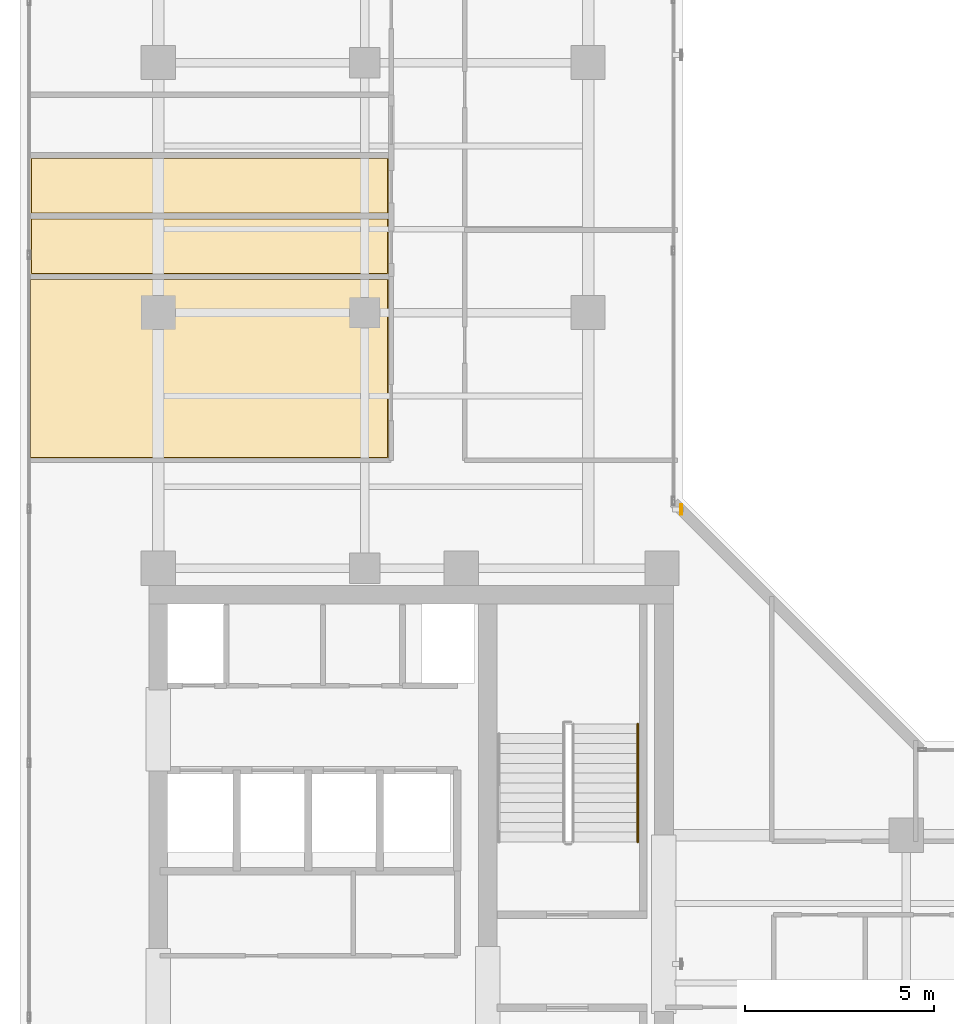
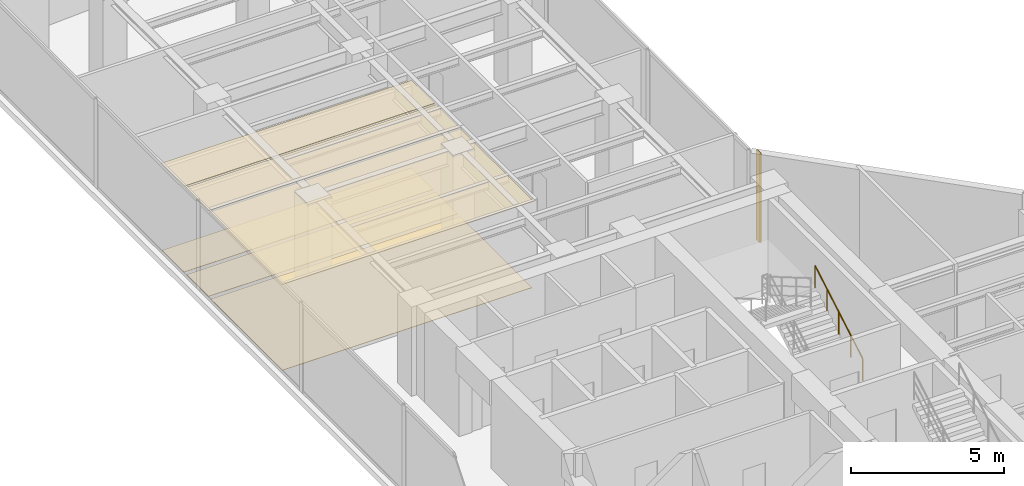
# One storey, part 22 of 24: 6 coverings, 1 railing, 1 shading device.
"""IFC4 building model written with IfcOpenShell, lengths in metres."""

import ifcopenshell
import ifcopenshell.guid

model = None  # the IFC model being written
_history = None  # IfcOwnerHistory: only IFC2X3 demands one
_inside = {}  # id of a spatial element -> (the spatial element, [elements in it])
_under = {}  # id of a project, library or spatial element -> (it, [spatial elements below it])
_declared = {}  # id of a project -> (the project, [libraries it declares])
_typed = {}  # id of a type object -> (the type object, [elements of that type])
_made_of = {}  # id of a material, layer set ... -> (it, [elements and type objects made of it])


def new_model(schema):
    """Start an empty IFC model of exactly this schema.

    Asked for "IFC4X3", IfcOpenShell would pick the latest addendum, in which some entities
    have other attributes; the version numbers below select the first issue.
    IFC2X3 requires an IfcOwnerHistory on every rooted entity: one is made here for all.
    """
    global model, _history
    if schema == "IFC4X3":
        model = ifcopenshell.file(schema_version=(4, 3, 0, 0))
    else:
        model = ifcopenshell.file(schema=schema)
    _inside.clear()
    _under.clear()
    _declared.clear()
    _typed.clear()
    _made_of.clear()
    _history = None
    if model.schema == "IFC2X3":
        org = make("IfcOrganization", Name="unknown")
        user = make(
            "IfcPersonAndOrganization",
            ThePerson=make("IfcPerson", FamilyName="unknown"),
            TheOrganization=org,
        )
        app = make(
            "IfcApplication",
            ApplicationDeveloper=org,
            Version="unknown",
            ApplicationFullName="unknown",
            ApplicationIdentifier="unknown",
        )
        _history = make(
            "IfcOwnerHistory",
            OwningUser=user,
            OwningApplication=app,
            ChangeAction="ADDED",
            CreationDate=0,
        )
    return model


def make(cls, **values):
    """One entity of the class cls with the attributes given. An attribute that is None is left unset."""
    return model.create_entity(
        cls, **{name: value for name, value in values.items() if value is not None}
    )


def rooted(cls, **values):
    """An entity with a GlobalId (a new one), such as an element, a storey or a relation."""
    return make(cls, GlobalId=ifcopenshell.guid.new(), OwnerHistory=_history, **values)


def si_unit(unit_type, name, prefix=None):
    """IfcSIUnit, for example si_unit("LENGTHUNIT", "METRE", prefix="MILLI")."""
    return make("IfcSIUnit", UnitType=unit_type, Prefix=prefix, Name=name)


def assignment(units):
    """IfcUnitAssignment: the units of a project."""
    return None if units is None else make("IfcUnitAssignment", Units=units)


def point(xyz):
    """IfcCartesianPoint."""
    return None if xyz is None else make("IfcCartesianPoint", Coordinates=xyz)


def direction(xyz):
    """IfcDirection."""
    return None if xyz is None else make("IfcDirection", DirectionRatios=xyz)


def frame(location, z_axis=None, x_axis=None):
    """IfcAxis2Placement3D, a coordinate frame: its origin and axes. An axis left out is left unset."""
    return make(
        "IfcAxis2Placement3D",
        Location=point(location),
        Axis=direction(z_axis),
        RefDirection=direction(x_axis),
    )


def frame_2d(location, x_axis=None):
    """IfcAxis2Placement2D, a coordinate frame in the plane: its origin and x axis."""
    return make(
        "IfcAxis2Placement2D", Location=point(location), RefDirection=direction(x_axis)
    )


def origin():
    """The frame at (0, 0, 0) with its axes left unset."""
    return frame((0.0, 0.0, 0.0))


def origin_2d():
    """The frame at (0, 0) in the plane with its x axis left unset."""
    return frame_2d((0.0, 0.0))


def place(relative_to, where):
    """IfcLocalPlacement: puts the frame where relative to a parent placement (None: the world)."""
    return make(
        "IfcLocalPlacement", PlacementRelTo=relative_to, RelativePlacement=where
    )


def context(
    kind, dimensions, precision=None, world=None, true_north=None, identifier=None
):
    """IfcGeometricRepresentationContext, for example the 3D "Model" context."""
    return make(
        "IfcGeometricRepresentationContext",
        ContextIdentifier=identifier,
        ContextType=kind,
        CoordinateSpaceDimension=dimensions,
        Precision=precision,
        WorldCoordinateSystem=world,
        TrueNorth=true_north,
    )


def subcontext(parent, identifier, kind, view, scale=None):
    """IfcGeometricRepresentationSubContext, for example "Body" below "Model"."""
    return make(
        "IfcGeometricRepresentationSubContext",
        ContextIdentifier=identifier,
        ContextType=kind,
        ParentContext=parent,
        TargetScale=scale,
        TargetView=view,
    )


def project(units=None, contexts=None):
    """IfcProject with its units and contexts."""
    return rooted(
        "IfcProject",
        Name="project",
        RepresentationContexts=contexts,
        UnitsInContext=assignment(units),
    )


def spatial(cls, under=None, at=None, **own):
    """A site, building, storey or space (cls), placed at a placement, below another one or the project."""
    s = rooted(cls, ObjectPlacement=at, **own)
    if under is not None:
        _under.setdefault(under.id(), (under, []))[1].append(s)
    return s


def polyline(points):
    """IfcPolyline through the points."""
    return make("IfcPolyline", Points=[point(p) for p in points])


def profile(cls, at=None, kind="AREA", **sizes):
    """A parametric profile (cls). Its sizes go by their IFC names, for example OverallWidth=200.0."""
    return make(cls, ProfileType=kind, Position=at, **sizes)


def hollow_rectangle(**sizes):
    """IfcRectangleHollowProfileDef."""
    return profile("IfcRectangleHollowProfileDef", **sizes)


def circle(**sizes):
    """IfcCircleProfileDef."""
    return profile("IfcCircleProfileDef", **sizes)


def outline(outer, holes=None, kind="AREA"):
    """IfcArbitraryClosedProfileDef: a profile drawn as a closed curve; with holes, ...WithVoids."""
    if holes is None:
        return make("IfcArbitraryClosedProfileDef", ProfileType=kind, OuterCurve=outer)
    return make(
        "IfcArbitraryProfileDefWithVoids",
        ProfileType=kind,
        OuterCurve=outer,
        InnerCurves=holes,
    )


def extrude(swept, where, along, depth):
    """IfcExtrudedAreaSolid: the profile swept, set in the frame where, extruded along a direction by depth."""
    return make(
        "IfcExtrudedAreaSolid",
        SweptArea=swept,
        Position=where,
        ExtrudedDirection=direction(along),
        Depth=depth,
    )


def shape(context_of_items, identifier, shape_type, items):
    """IfcShapeRepresentation: the items that make up one representation, for example the "Body"."""
    return make(
        "IfcShapeRepresentation",
        ContextOfItems=context_of_items,
        RepresentationIdentifier=identifier,
        RepresentationType=shape_type,
        Items=items,
    )


def material(Name=None, Category=None):
    """IfcMaterial."""
    return make("IfcMaterial", Name=Name, Category=Category)


def layer(
    of_material, thickness, ventilated=None, Name=None, Category=None, Priority=None
):
    """IfcMaterialLayer: one layer of a wall or slab, of a material (None: an air gap)."""
    return make(
        "IfcMaterialLayer",
        Material=of_material,
        LayerThickness=thickness,
        IsVentilated=ventilated,
        Name=Name,
        Category=Category,
        Priority=Priority,
    )


def layer_set(layers, Name=None):
    """IfcMaterialLayerSet."""
    return make("IfcMaterialLayerSet", MaterialLayers=layers, LayerSetName=Name)


def material_profile(
    of_material, cross_section, Name=None, Category=None, Priority=None
):
    """IfcMaterialProfile: a cross section and its material."""
    return make(
        "IfcMaterialProfile",
        Name=Name,
        Material=of_material,
        Profile=cross_section,
        Priority=Priority,
        Category=Category,
    )


def profile_set(profiles, Name=None, composite=None):
    """IfcMaterialProfileSet."""
    return make(
        "IfcMaterialProfileSet",
        Name=Name,
        MaterialProfiles=profiles,
        CompositeProfile=composite,
    )


def made_of(thing, what):
    """Note that an element or type object is made of a material, layer set ...; save() writes the relation."""
    if what is not None:
        _made_of.setdefault(what.id(), (what, []))[1].append(thing)
    return thing


def type_object(cls, material=None, **own):
    """A type object (cls), such as IfcWallType, which elements share."""
    return made_of(rooted(cls, **own), material)


def element(
    cls,
    number,
    at=None,
    inside=None,
    cuts=None,
    type_object=None,
    material=None,
    context=None,
    identifier="Body",
    shape_type=None,
    held_by="IfcProductDefinitionShape",
    body=None,
    shapes=None,
    **own,
):
    """One element of the class cls, such as IfcWall. Its Tag is "e" and its number.

    at: its placement. inside: the storey or other place that contains it. cuts: it is an
    opening in that element (IfcRelVoidsElement). A single representation is given by context,
    identifier, shape_type and body (its items); several are given by shapes. held_by: the class
    of the entity that holds the representations. save() writes the other relations.
    """
    e = rooted(cls, Tag="e%d" % number, ObjectPlacement=at, **own)
    if body is not None:
        shapes = [shape(context, identifier, shape_type, body)]
    if shapes is not None:
        e.Representation = make(held_by, Representations=shapes)
    if inside is not None:
        _inside.setdefault(inside.id(), (inside, []))[1].append(e)
    if cuts is not None:
        rooted(
            "IfcRelVoidsElement", RelatingBuildingElement=cuts, RelatedOpeningElement=e
        )
    if type_object is not None:
        _typed.setdefault(type_object.id(), (type_object, []))[1].append(e)
    return made_of(e, material)


def aggregate(whole, parts):
    """IfcRelAggregates: a whole, such as a stair, and the parts it consists of."""
    return rooted("IfcRelAggregates", RelatingObject=whole, RelatedObjects=parts)


def save(model, path):
    """Write the relations noted so far, then the file.

    IfcRelAggregates (storeys below a building ...), IfcRelContainedInSpatialStructure (elements
    in a storey), IfcRelDefinesByType, IfcRelAssociatesMaterial and IfcRelDeclares: one each for
    every whole, place, type object, material and project.
    """
    for whole, parts in _under.values():
        aggregate(whole, parts)
    for where, things in _inside.values():
        rooted(
            "IfcRelContainedInSpatialStructure",
            RelatedElements=things,
            RelatingStructure=where,
        )
    for kind, things in _typed.values():
        rooted("IfcRelDefinesByType", RelatedObjects=things, RelatingType=kind)
    for what, things in _made_of.values():
        rooted("IfcRelAssociatesMaterial", RelatedObjects=things, RelatingMaterial=what)
    for by, libraries in _declared.values():
        rooted("IfcRelDeclares", RelatingContext=by, RelatedDefinitions=libraries)
    model.write(path)


model = new_model("IFC4")

# Units and contexts
model_context = context("Model", 3, precision=1e-05, world=origin(), true_north=direction((0.0, 1.0)))
body_context = subcontext(model_context, "Body", "Model", "MODEL_VIEW")
ifc_project = project(units=[si_unit("LENGTHUNIT", "METRE"), si_unit("AREAUNIT", "SQUARE_METRE"), si_unit("VOLUMEUNIT", "CUBIC_METRE"), si_unit("PLANEANGLEUNIT", "RADIAN"), si_unit("MASSUNIT", "GRAM", prefix="KILO")], contexts=[model_context])

# Site, building, storey
site_placement = place(None, origin())
site = spatial("IfcSite", under=ifc_project, at=site_placement, CompositionType="ELEMENT")
building_placement = place(site_placement, origin())
building = spatial("IfcBuilding", under=site, at=building_placement, Name="Kolvaren Waterfront Exchange", CompositionType="ELEMENT")
storey_placement = place(building_placement, frame((0.0, 0.0, 300.800048828125)))
storey = spatial("IfcBuildingStorey", under=building, at=storey_placement, Name="L77", CompositionType="ELEMENT", Elevation=300.800048828125)

# Coverings
ifc_material_1 = material(Name="Mineral fibre acoustic ceiling tile")
ifc_layer_1 = layer(ifc_material_1, 0.02490234375, Name="Mineral fibre acoustic ceiling tile")
ifc_layer_set_1 = layer_set([ifc_layer_1], Name="Mineral fibre acoustic ceiling tile")
covering_type_1 = type_object("IfcCoveringType", Name="ARC-CEIL-ACOUSTIC-25", PredefinedType="CEILING", material=ifc_layer_set_1)
covering_1_placement = place(storey_placement, frame((0.0, 0.0, 3.445068359375)))
element("IfcCovering", 1, at=covering_1_placement, inside=storey, type_object=covering_type_1, Name="L77 acoustic suspended ceiling 1", PredefinedType="CEILING", context=body_context, shape_type="SweptSolid", body=[
    extrude(outline(polyline([(13.534912109375, 27.344970703125), (13.534912109375, 32.10498046875), (4.044921875, 32.10498046875), (4.044921875, 27.344970703125), (13.534912109375, 27.344970703125)])), origin(), (0.0, 0.0, 1.0), 0.02490234375),
])
covering_2_placement = place(storey_placement, frame((0.0, 0.0, 3.445068359375)))
element("IfcCovering", 2, at=covering_2_placement, inside=storey, type_object=covering_type_1, Name="L77 acoustic suspended ceiling 2", PredefinedType="CEILING", context=body_context, shape_type="SweptSolid", body=[
    extrude(outline(polyline([(13.534912109375, 32.195068359375), (13.534912109375, 33.705078125), (4.06494140625, 33.705078125), (4.06494140625, 32.195068359375), (13.534912109375, 32.195068359375)])), origin(), (0.0, 0.0, 1.0), 0.02490234375),
])
covering_3_placement = place(storey_placement, frame((0.0, 0.0, 3.445068359375)))
element("IfcCovering", 3, at=covering_3_placement, inside=storey, type_object=covering_type_1, Name="L77 acoustic suspended ceiling 3", PredefinedType="CEILING", context=body_context, shape_type="SweptSolid", body=[
    extrude(outline(polyline([(13.534912109375, 33.794921875), (13.534912109375, 35.304931640625), (4.06494140625, 35.304931640625), (4.06494140625, 33.794921875), (13.534912109375, 33.794921875)])), origin(), (0.0, 0.0, 1.0), 0.02490234375),
])

# Shading device
ifc_material_2 = material(Name="Anodised bronze aluminium 6063-T6", Category="aluminium")
ifc_material_profile = material_profile(ifc_material_2, hollow_rectangle(XDim=0.054931640625, YDim=0.280029296875, WallThickness=0.00439453125, at=origin_2d()), Name="BRZ-FIN-280x55x4.5")
ifc_profile_set = profile_set([ifc_material_profile], Name="Anodised bronze aluminium 6063-T6")
shading_device_type = type_object("IfcShadingDeviceType", Name="ARC-FIN-280", PredefinedType="USERDEFINED", material=ifc_profile_set)
shading_device_placement = place(storey_placement, frame((21.254638671875, 26.0, 0.0), z_axis=(0.0, 0.0, 1.0), x_axis=(1.0, 0.0, 0.0)))
element("IfcShadingDevice", 4, at=shading_device_placement, inside=storey, type_object=shading_device_type, Name="L77 anodised bronze solar shading fin FIN-L77-E2", ObjectType="SOLAR FIN", PredefinedType="USERDEFINED", context=body_context, shape_type="SweptSolid", body=[
    extrude(hollow_rectangle(XDim=0.054931640625, YDim=0.280029296875, WallThickness=0.00439453125, at=origin_2d()), origin(), (0.0, 0.0, 1.0), 3.56005859375),
])

# Coverings
ifc_material_3 = material(Name="Slip-resistant porcelain tile")
ifc_layer_2 = layer(ifc_material_3, 0.014892578125, Name="Slip-resistant porcelain tile")
ifc_layer_set_2 = layer_set([ifc_layer_2], Name="Slip-resistant porcelain tile")
covering_type_2 = type_object("IfcCoveringType", Name="ARC-FLR-PORC-15", PredefinedType="FLOORING", material=ifc_layer_set_2)
covering_4_placement = place(storey_placement, origin())
element("IfcCovering", 5, at=covering_4_placement, inside=storey, type_object=covering_type_2, Name="L77 floor finish 1", PredefinedType="FLOORING", context=body_context, shape_type="SweptSolid", body=[
    extrude(outline(polyline([(4.080078125, 32.070068359375), (4.080078125, 27.3798828125), (13.5, 27.3798828125), (13.5, 32.070068359375), (4.080078125, 32.070068359375)])), origin(), (0.0, 0.0, 1.0), 0.014892578125),
])
covering_5_placement = place(storey_placement, origin())
element("IfcCovering", 6, at=covering_5_placement, inside=storey, type_object=covering_type_2, Name="L77 floor finish 2", PredefinedType="FLOORING", context=body_context, shape_type="SweptSolid", body=[
    extrude(outline(polyline([(4.10009765625, 33.669921875), (4.10009765625, 32.22998046875), (13.5, 32.22998046875), (13.5, 33.669921875), (4.10009765625, 33.669921875)])), origin(), (0.0, 0.0, 1.0), 0.014892578125),
])
covering_6_placement = place(storey_placement, origin())
element("IfcCovering", 7, at=covering_6_placement, inside=storey, type_object=covering_type_2, Name="L77 floor finish 3", PredefinedType="FLOORING", context=body_context, shape_type="SweptSolid", body=[
    extrude(outline(polyline([(4.10009765625, 35.27001953125), (4.10009765625, 33.830078125), (13.5, 33.830078125), (13.5, 35.27001953125), (4.10009765625, 35.27001953125)])), origin(), (0.0, 0.0, 1.0), 0.014892578125),
])

# Railing
ifc_material_4 = material(Name="Stainless steel 316", Category="steel")
railing_type = type_object("IfcRailingType", Name="ARC-HANDRAIL-900", PredefinedType="HANDRAIL", material=ifc_material_4)
railing_placement = place(storey_placement, frame((20.110107421875, 17.219970703125, 0.15185546875)))
element("IfcRailing", 8, at=railing_placement, inside=storey, type_object=railing_type, Name="L77 ST2 stair handrail 1", PredefinedType="HANDRAIL", context=body_context, shape_type="SweptSolid", body=[
    extrude(circle(Radius=0.02392578125, at=origin_2d()), frame((0.0, 0.0, 0.8759765625), z_axis=(0.0, 0.86330811405, 0.504677223793), x_axis=(-1.0, 0.0, 0.0)), (0.0, 0.0, 1.0), 3.6142578125),
    extrude(circle(Radius=0.02099609375, at=origin_2d()), origin(), (0.0, 0.0, 1.0), 0.851806640625),
    extrude(circle(Radius=0.02099609375, at=origin_2d()), frame((0.0, 0.780029296875, 0.4560546875)), (0.0, 0.0, 1.0), 0.851806640625),
    extrude(circle(Radius=0.02099609375, at=origin_2d()), frame((0.0, 1.56005859375, 0.912109375)), (0.0, 0.0, 1.0), 0.851806640625),
    extrude(circle(Radius=0.02099609375, at=origin_2d()), frame((0.0, 2.340087890625, 1.367919921875)), (0.0, 0.0, 1.0), 0.851806640625),
    extrude(circle(Radius=0.02099609375, at=origin_2d()), frame((0.0, 3.1201171875, 1.823974609375)), (0.0, 0.0, 1.0), 0.851806640625),
])

save(model, "model.ifc")
